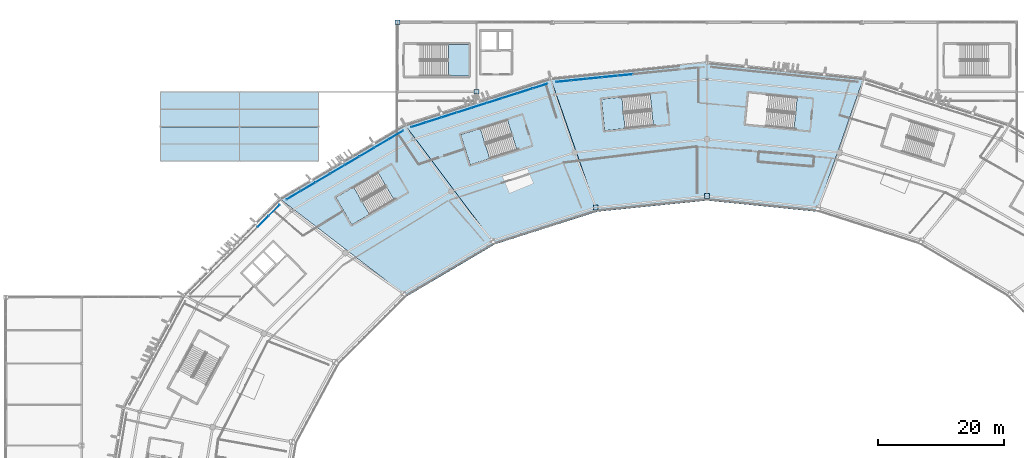
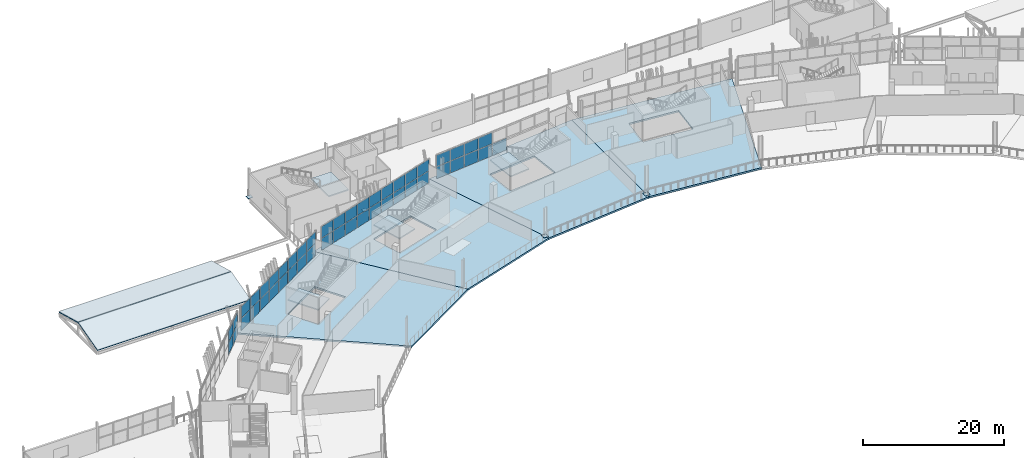
# One storey, part 100 of 179: 51 plates, 10 slabs, 9 elements without a shape of their own.
"""IFC4 building model written with IfcOpenShell, lengths in metres."""

from ifc_helpers import new_model, si_unit, direction, frame, origin, origin_2d, place, context, subcontext, project, spatial, polyline, rectangle, outline, extrude, material, layer, layer_set, type_object, element, aggregate, save


model = new_model("IFC4")

# Units and contexts
model_context = context("Model", 3, precision=1e-05, world=origin(), true_north=direction((0.0, 1.0)))
body_context = subcontext(model_context, "Body", "Model", "MODEL_VIEW")
ifc_project = project(units=[si_unit("LENGTHUNIT", "METRE"), si_unit("AREAUNIT", "SQUARE_METRE"), si_unit("VOLUMEUNIT", "CUBIC_METRE"), si_unit("PLANEANGLEUNIT", "RADIAN"), si_unit("MASSUNIT", "GRAM", prefix="KILO")], contexts=[model_context])

# Site, building, storey
site_placement = place(None, origin())
site = spatial("IfcSite", under=ifc_project, at=site_placement, CompositionType="ELEMENT")
building_placement = place(site_placement, origin())
building = spatial("IfcBuilding", under=site, at=building_placement, Name="Zlatoyarsky Gate Stadium", CompositionType="ELEMENT")
storey_placement = place(building_placement, frame((0.0, 0.0, 10.60009765625)))
storey = spatial("IfcBuildingStorey", under=building, at=storey_placement, Name="L02", CompositionType="ELEMENT", Elevation=10.60009765625)

# Curtain wall, plates
ifc_material_1 = material(Name="Thermally broken anodised aluminium curtain wall", Category="aluminium")
curtain_wall_type_1 = type_object("IfcCurtainWallType", Name="MONUMENTAL ARCHED GATE GLAZING UPPER", PredefinedType="USERDEFINED", material=ifc_material_1)
curtain_wall_1_placement = place(storey_placement, origin())
curtain_wall_1 = element("IfcCurtainWall", 1, at=curtain_wall_1_placement, inside=storey, type_object=curtain_wall_type_1, Name="Curtain wall CW-L02-06", ObjectType="ARCHED GATE GLAZING", PredefinedType="USERDEFINED")
ifc_material_2 = material(Name="Triple-glazed argon low-e architectural glass", Category="glass")
ifc_layer_1 = layer(ifc_material_2, 0.0458984375)
ifc_layer_set_1 = layer_set([ifc_layer_1], Name="Triple-glazed argon low-e architectural glass")
plate_type_1 = type_object("IfcPlateType", Name="ACOUSTIC LAMINATED GATE GLAZING PANEL 46", PredefinedType="CURTAIN_PANEL", material=ifc_layer_set_1)
plate_1_placement = place(storey_placement, frame((98.0380859375, 151.664794921875, 0.074951171875), z_axis=(0.0, 0.0, 1.0), x_axis=(-0.994922667712, -0.100642363208, 0.0)))
plate_1 = element("IfcPlate", 2, at=plate_1_placement, type_object=plate_type_1, Name="CW-AG2 panel 4.1", PredefinedType="CURTAIN_PANEL", context=body_context, shape_type="SweptSolid", body=[
    extrude(rectangle(XDim=2.3759765625, YDim=0.0458984375, at=origin_2d()), origin(), (0.0, 0.0, 1.0), 2.03759765625),
])
plate_2_placement = place(storey_placement, frame((95.599609375, 151.41796875, 0.074951171875), z_axis=(0.0, 0.0, 1.0), x_axis=(-0.994922667712, -0.100642363208, 0.0)))
plate_2 = element("IfcPlate", 3, at=plate_2_placement, type_object=plate_type_1, Name="CW-AG2 panel 5.1", PredefinedType="CURTAIN_PANEL", context=body_context, shape_type="SweptSolid", body=[
    extrude(rectangle(XDim=2.3759765625, YDim=0.0458984375, at=origin_2d()), origin(), (0.0, 0.0, 1.0), 2.03759765625),
])
plate_3_placement = place(storey_placement, frame((95.599609375, 151.41796875, 2.1875), z_axis=(0.0, 0.0, 1.0), x_axis=(-0.994922667712, -0.100642363208, 0.0)))
plate_3 = element("IfcPlate", 4, at=plate_3_placement, type_object=plate_type_1, Name="CW-AG2 panel 5.2", PredefinedType="CURTAIN_PANEL", context=body_context, shape_type="SweptSolid", body=[
    extrude(rectangle(XDim=2.3759765625, YDim=0.0458984375, at=origin_2d()), origin(), (0.0, 0.0, 1.0), 1.9375),
])
plate_4_placement = place(storey_placement, frame((93.1611328125, 151.17138671875, 0.074951171875), z_axis=(0.0, 0.0, 1.0), x_axis=(-0.994922667712, -0.100642363208, 0.0)))
plate_4 = element("IfcPlate", 5, at=plate_4_placement, type_object=plate_type_1, Name="CW-AG2 panel 6.1", PredefinedType="CURTAIN_PANEL", context=body_context, shape_type="SweptSolid", body=[
    extrude(rectangle(XDim=2.3759765625, YDim=0.0458984375, at=origin_2d()), origin(), (0.0, 0.0, 1.0), 2.03759765625),
])
plate_5_placement = place(storey_placement, frame((93.1611328125, 151.17138671875, 2.1875), z_axis=(0.0, 0.0, 1.0), x_axis=(-0.994922667712, -0.100642363208, 0.0)))
plate_5 = element("IfcPlate", 6, at=plate_5_placement, type_object=plate_type_1, Name="CW-AG2 panel 6.2", PredefinedType="CURTAIN_PANEL", context=body_context, shape_type="SweptSolid", body=[
    extrude(rectangle(XDim=2.3759765625, YDim=0.0458984375, at=origin_2d()), origin(), (0.0, 0.0, 1.0), 1.9375),
])
plate_6_placement = place(storey_placement, frame((90.72265625, 150.9248046875, 0.074951171875), z_axis=(0.0, 0.0, 1.0), x_axis=(-0.994922667712, -0.100642363208, 0.0)))
plate_6 = element("IfcPlate", 7, at=plate_6_placement, type_object=plate_type_1, Name="CW-AG2 panel 7.1", PredefinedType="CURTAIN_PANEL", context=body_context, shape_type="SweptSolid", body=[
    extrude(rectangle(XDim=2.3759765625, YDim=0.0458984375, at=origin_2d()), origin(), (0.0, 0.0, 1.0), 2.03759765625),
])
plate_7_placement = place(storey_placement, frame((90.72265625, 150.9248046875, 2.1875), z_axis=(0.0, 0.0, 1.0), x_axis=(-0.994922667712, -0.100642363208, 0.0)))
plate_7 = element("IfcPlate", 8, at=plate_7_placement, type_object=plate_type_1, Name="CW-AG2 panel 7.2", PredefinedType="CURTAIN_PANEL", context=body_context, shape_type="SweptSolid", body=[
    extrude(rectangle(XDim=2.3759765625, YDim=0.0458984375, at=origin_2d()), origin(), (0.0, 0.0, 1.0), 1.9375),
])
plate_8_placement = place(storey_placement, frame((88.302978515625, 150.679931640625, 0.074951171875), z_axis=(0.0, 0.0, 1.0), x_axis=(-0.994922667712, -0.100642363208, 0.0)))
plate_8 = element("IfcPlate", 9, at=plate_8_placement, type_object=plate_type_1, Name="CW-AG2 panel 8.1", PredefinedType="CURTAIN_PANEL", context=body_context, shape_type="SweptSolid", body=[
    extrude(rectangle(XDim=2.33837890625, YDim=0.0458984375, at=origin_2d()), origin(), (0.0, 0.0, 1.0), 2.03759765625),
])
plate_9_placement = place(storey_placement, frame((88.302978515625, 150.679931640625, 2.1875), z_axis=(0.0, 0.0, 1.0), x_axis=(-0.994922667712, -0.100642363208, 0.0)))
plate_9 = element("IfcPlate", 10, at=plate_9_placement, type_object=plate_type_1, Name="CW-AG2 panel 8.2", PredefinedType="CURTAIN_PANEL", context=body_context, shape_type="SweptSolid", body=[
    extrude(rectangle(XDim=2.33837890625, YDim=0.0458984375, at=origin_2d()), origin(), (0.0, 0.0, 1.0), 1.9375),
])
aggregate(curtain_wall_1, [plate_1, plate_2, plate_3, plate_4, plate_5, plate_6, plate_7, plate_8, plate_9])

# Roof, slabs
ifc_material_3 = material(Name="Standing-seam aluminium-zinc roofing with mineral wool insulation", Category="aluminium")
ifc_layer_2 = layer(ifc_material_3, 0.080078125)
ifc_layer_set_2 = layer_set([ifc_layer_2], Name="Standing-seam aluminium-zinc roofing with mineral wool insulation")
roof_type = type_object("IfcRoofType", Name="WINTER GARDEN PAVILION ROOF ASSEMBLY", PredefinedType="PAVILION_ROOF", material=ifc_layer_set_2)
roof_placement = place(storey_placement, origin())
roof = element("IfcRoof", 11, at=roof_placement, inside=storey, type_object=roof_type, Name="V6_NW pavilion roof", PredefinedType="PAVILION_ROOF")
ifc_material_4 = material(Name="Concrete C40/50", Category="concrete")
ifc_layer_3 = layer(ifc_material_4, 0.159912109375)
ifc_layer_set_3 = layer_set([ifc_layer_3], Name="Concrete C40/50")
slab_type_1 = type_object("IfcSlabType", Name="COMPOSITE PORTICO CANOPY SLAB 160", PredefinedType="ROOF", material=ifc_layer_set_3)
slab_1_placement = place(storey_placement, frame((24.5, 138.0, 0.0), z_axis=(0.0, -0.263080822719, 0.964773797694), x_axis=(1.0, 0.0, 0.0)))
slab_1 = element("IfcSlab", 12, at=slab_1_placement, type_object=slab_type_1, Name="V6_NW sloped roof slab 1", PredefinedType="ROOF", context=body_context, shape_type="SweptSolid", body=[
    extrude(outline(polyline([(0.0, 0.0), (25.0, 0.0), (25.0, 5.646917505320693), (0.0, 5.646917505320693), (0.0, 0.0)])), origin(), (0.0, 0.0, -1.0), 0.159912109375),
])
slab_2_placement = place(storey_placement, frame((49.5, 149.0, 0.0), z_axis=(0.0, 0.263080822719, 0.964773797694), x_axis=(-1.0, 0.0, 0.0)))
slab_2 = element("IfcSlab", 13, at=slab_2_placement, type_object=slab_type_1, Name="V6_NW sloped roof slab 2", PredefinedType="ROOF", context=body_context, shape_type="SweptSolid", body=[
    extrude(outline(polyline([(0.0, 0.0), (25.0, 0.0), (25.0, 5.646917505320693), (0.0, 5.646917505320693), (0.0, 0.0)])), origin(), (0.0, 0.0, -1.0), 0.159912109375),
])
aggregate(roof, [slab_1, slab_2])

# Slabs
ifc_layer_4 = layer(ifc_material_4, 0.280029296875)
ifc_layer_set_4 = layer_set([ifc_layer_4], Name="Concrete C40/50")
slab_type_2 = type_object("IfcSlabType", Name="CONCRETE HOSPITALITY SLAB 280", PredefinedType="FLOOR", material=ifc_layer_set_4)
slab_3_placement = place(storey_placement, frame((0.0, 0.0, -0.280029296875)))
element("IfcSlab", 14, at=slab_3_placement, inside=storey, type_object=slab_type_2, Name="L02 bowl sector 05 slab", PredefinedType="FLOOR", context=body_context, shape_type="SweptSolid", body=[
    extrude(outline(polyline([(111.0, 131.800048828125), (111.0, 153.67578125), (135.7626953125, 151.16552734375), (128.392578125, 130.034912109375), (111.0, 131.800048828125)]), holes=[polyline([(124.76953125, 143.115966796875), (125.26953125, 148.0908203125), (117.558349609375, 148.865966796875), (117.058349609375, 143.890869140625), (124.76953125, 143.115966796875)])]), origin(), (0.0, 0.0, 1.0), 0.280029296875),
])
slab_4_placement = place(storey_placement, frame((0.0, 0.0, -0.280029296875)))
element("IfcSlab", 15, at=slab_4_placement, inside=storey, type_object=slab_type_2, Name="L02 bowl sector 06 slab", PredefinedType="FLOOR", context=body_context, shape_type="SweptSolid", body=[
    extrude(outline(polyline([(93.607421875, 130.034912109375), (86.2373046875, 151.16552734375), (111.0, 153.67578125), (111.0, 131.800048828125), (93.607421875, 130.034912109375)]), holes=[polyline([(102.00390625, 148.620849609375), (94.292724609375, 147.845703125), (94.792724609375, 142.870849609375), (102.50390625, 143.64599609375), (102.00390625, 148.620849609375)])]), origin(), (0.0, 0.0, 1.0), 0.280029296875),
])
slab_5_placement = place(storey_placement, frame((0.0, 0.0, -0.280029296875)))
element("IfcSlab", 16, at=slab_5_placement, inside=storey, type_object=slab_type_2, Name="L02 bowl sector 07 slab", PredefinedType="FLOOR", context=body_context, shape_type="SweptSolid", body=[
    extrude(outline(polyline([(77.39990234375, 124.860107421875), (63.162109375, 143.80517578125), (86.2373046875, 151.16552734375), (93.607421875, 130.034912109375), (77.39990234375, 124.860107421875)]), holes=[polyline([(79.39990234375, 144.562255859375), (72.0107421875, 142.2255859375), (73.518310546875, 137.458251953125), (80.90771484375, 139.794921875), (79.39990234375, 144.562255859375)])]), origin(), (0.0, 0.0, 1.0), 0.280029296875),
])
slab_6_placement = place(storey_placement, frame((0.0, 0.0, -0.280029296875)))
element("IfcSlab", 17, at=slab_6_placement, inside=storey, type_object=slab_type_2, Name="L02 bowl sector 08 slab", PredefinedType="FLOOR", context=body_context, shape_type="SweptSolid", body=[
    extrude(outline(polyline([(63.482421875, 116.628173828125), (43.346923828125, 132.0966796875), (63.162109375, 143.80517578125), (77.39990234375, 124.860107421875), (63.482421875, 116.628173828125)]), holes=[polyline([(58.934326171875, 136.204345703125), (52.247314453125, 132.287109375), (54.774658203125, 127.972900390625), (61.461669921875, 131.89013671875), (58.934326171875, 136.204345703125)])]), origin(), (0.0, 0.0, 1.0), 0.280029296875),
])

# Stair, slab
stair_type = type_object("IfcStairType", Name="CONCRETE DOGLEG EXIT STAIR H5000", PredefinedType="TWO_STRAIGHT_RUN_STAIR", material=ifc_material_4)
stair_1_placement = place(storey_placement, origin())
stair_1 = element("IfcStair", 18, at=stair_1_placement, inside=storey, type_object=stair_type, Name="L02 Exit Stair ST-04", PredefinedType="TWO_STRAIGHT_RUN_STAIR")
ifc_layer_5 = layer(ifc_material_4, 0.199951171875)
ifc_layer_set_5 = layer_set([ifc_layer_5], Name="Concrete C40/50")
slab_type_3 = type_object("IfcSlabType", Name="CONCRETE STAIR LANDING SLAB 200", PredefinedType="LANDING", material=ifc_layer_set_5)
slab_7_placement = place(storey_placement, frame((0.0, 0.0, 2.2998046875)))
slab_7 = element("IfcSlab", 19, at=slab_7_placement, type_object=slab_type_3, Name="ST-DG50 landing 1", PredefinedType="LANDING", context=body_context, shape_type="SweptSolid", body=[
    extrude(outline(polyline([(97.5263671875, 148.170654296875), (94.292724609375, 147.845703125), (94.792724609375, 142.870849609375), (98.0263671875, 143.19580078125), (97.5263671875, 148.170654296875)])), origin(), (0.0, 0.0, 1.0), 0.2001953125),
])
aggregate(stair_1, [slab_7])

stair_2_placement = place(storey_placement, origin())
stair_2 = element("IfcStair", 20, at=stair_2_placement, inside=storey, type_object=stair_type, Name="L02 Exit Stair ST-05", PredefinedType="TWO_STRAIGHT_RUN_STAIR")
slab_8_placement = place(storey_placement, frame((0.0, 0.0, 2.2998046875)))
slab_8 = element("IfcSlab", 21, at=slab_8_placement, type_object=slab_type_3, Name="ST-DG50 landing 1", PredefinedType="LANDING", context=body_context, shape_type="SweptSolid", body=[
    extrude(outline(polyline([(55.051513671875, 133.929931640625), (52.247314453125, 132.287109375), (54.774658203125, 127.972900390625), (57.578857421875, 129.615478515625), (55.051513671875, 133.929931640625)])), origin(), (0.0, 0.0, 1.0), 0.2001953125),
])
aggregate(stair_2, [slab_8])

stair_3_placement = place(storey_placement, origin())
stair_3 = element("IfcStair", 22, at=stair_3_placement, inside=storey, type_object=stair_type, Name="L02 Exit Stair ST-14", PredefinedType="TWO_STRAIGHT_RUN_STAIR")
slab_9_placement = place(storey_placement, frame((0.0, 0.0, 2.2998046875)))
slab_9 = element("IfcSlab", 23, at=slab_9_placement, type_object=slab_type_3, Name="ST-DG50 landing 1", PredefinedType="LANDING", context=body_context, shape_type="SweptSolid", body=[
    extrude(outline(polyline([(75.109375, 143.205322265625), (72.0107421875, 142.2255859375), (73.518310546875, 137.458251953125), (76.616943359375, 138.43798828125), (75.109375, 143.205322265625)])), origin(), (0.0, 0.0, 1.0), 0.2001953125),
])
aggregate(stair_3, [slab_9])

stair_4_placement = place(storey_placement, origin())
stair_4 = element("IfcStair", 24, at=stair_4_placement, inside=storey, type_object=stair_type, Name="L02 Exit Stair ST-31", PredefinedType="TWO_STRAIGHT_RUN_STAIR")
slab_10_placement = place(storey_placement, frame((0.0, 0.0, 2.2998046875)))
slab_10 = element("IfcSlab", 25, at=slab_10_placement, type_object=slab_type_3, Name="ST-DG50 landing 1", PredefinedType="LANDING", context=body_context, shape_type="SweptSolid", body=[
    extrude(outline(polyline([(70.050048828125, 151.5), (73.300048828125, 151.5), (73.300048828125, 156.5), (70.050048828125, 156.5), (70.050048828125, 151.5)])), origin(), (0.0, 0.0, 1.0), 0.2001953125),
])
aggregate(stair_4, [slab_10])

# Plates
ifc_material_5 = material(Name="Steel S355", Category="steel")
ifc_layer_6 = layer(ifc_material_5, 0.0400390625)
ifc_layer_set_6 = layer_set([ifc_layer_6], Name="Steel S355")
plate_type_2 = type_object("IfcPlateType", Name="STEEL COLUMN BASE PLATE 40", PredefinedType="USERDEFINED", material=ifc_layer_set_6)
for number, where, z_axis, x_axis, name in (
    (26, (111.0, 132.5, 0.0), (0.0, 0.0, 1.0), (1.0, 0.0, 0.0), "Column base plate BP-01 at RA-06 L02"),
    (27, (93.400390625, 130.711181640625, 0.0), (0.0, 0.0, 1.0), (1.0, 0.0, 0.0), "Column base plate BP-01 at RA-07 L02"),
    (28, (62.0, 160.0, 0.0), (0.0, 0.0, 1.0), (1.0, 0.0, 0.0), "Column base plate BP-01 at WG-6-Q L02"),
    (29, (74.5, 149.0, 0.0), (0.0, 0.0, 1.0), (1.0, 0.0, 0.0), "Column base plate BP-01 at WG-7-P L02"),
):
    element("IfcPlate", number, at=place(storey_placement, frame(where, z_axis=z_axis, x_axis=x_axis)), inside=storey, type_object=plate_type_2, Name=name, ObjectType="BASE PLATE", PredefinedType="USERDEFINED", context=body_context, shape_type="SweptSolid", body=[
        extrude(rectangle(XDim=0.75, YDim=0.75, at=origin_2d()), origin(), (0.0, 0.0, 1.0), 0.0400390625),
    ])

# Curtain wall, plates
curtain_wall_type_2 = type_object("IfcCurtainWallType", Name="UNITISED HOSPITALITY GLAZING L02", PredefinedType="USERDEFINED", material=ifc_material_1)
curtain_wall_2_placement = place(storey_placement, origin())
curtain_wall_2 = element("IfcCurtainWall", 30, at=curtain_wall_2_placement, inside=storey, type_object=curtain_wall_type_2, Name="Curtain wall CW-L02-07", ObjectType="UNITISED GLAZING", PredefinedType="USERDEFINED")
ifc_layer_7 = layer(ifc_material_2, 0.0380859375)
ifc_layer_set_7 = layer_set([ifc_layer_7], Name="Triple-glazed argon low-e architectural glass")
plate_type_3 = type_object("IfcPlateType", Name="TRIPLE GLAZED LOW E CURTAIN PANEL 38", PredefinedType="CURTAIN_PANEL", material=ifc_layer_set_7)
plate_10_placement = place(storey_placement, frame((84.579833984375, 149.904052734375, 0.06494140625), z_axis=(0.0, 0.0, 1.0), x_axis=(-0.952901692031, -0.30327935196, 0.0)))
plate_10 = element("IfcPlate", 31, at=plate_10_placement, type_object=plate_type_3, Name="CW-UG2 panel 1.1", PredefinedType="CURTAIN_PANEL", context=body_context, shape_type="SweptSolid", body=[
    extrude(rectangle(XDim=2.428955078125, YDim=0.0380859375, at=origin_2d()), origin(), (0.0, 0.0, 1.0), 2.052490234375),
])
plate_11_placement = place(storey_placement, frame((84.579833984375, 149.904052734375, 2.1826171875), z_axis=(0.0, 0.0, 1.0), x_axis=(-0.952901692031, -0.30327935196, 0.0)))
plate_11 = element("IfcPlate", 32, at=plate_11_placement, type_object=plate_type_3, Name="CW-UG2 panel 1.2", PredefinedType="CURTAIN_PANEL", context=body_context, shape_type="SweptSolid", body=[
    extrude(rectangle(XDim=2.428955078125, YDim=0.0380859375, at=origin_2d()), origin(), (0.0, 0.0, 1.0), 1.952392578125),
])
plate_12_placement = place(storey_placement, frame((82.187744140625, 149.142822265625, 0.06494140625), z_axis=(0.0, 0.0, 1.0), x_axis=(-0.952901692031, -0.30327935196, 0.0)))
plate_12 = element("IfcPlate", 33, at=plate_12_placement, type_object=plate_type_3, Name="CW-UG2 panel 2.1", PredefinedType="CURTAIN_PANEL", context=body_context, shape_type="SweptSolid", body=[
    extrude(rectangle(XDim=2.46142578125, YDim=0.0380859375, at=origin_2d()), origin(), (0.0, 0.0, 1.0), 2.052490234375),
])
plate_13_placement = place(storey_placement, frame((82.187744140625, 149.142822265625, 2.1826171875), z_axis=(0.0, 0.0, 1.0), x_axis=(-0.952901692031, -0.30327935196, 0.0)))
plate_13 = element("IfcPlate", 34, at=plate_13_placement, type_object=plate_type_3, Name="CW-UG2 panel 2.2", PredefinedType="CURTAIN_PANEL", context=body_context, shape_type="SweptSolid", body=[
    extrude(rectangle(XDim=2.46142578125, YDim=0.0380859375, at=origin_2d()), origin(), (0.0, 0.0, 1.0), 1.952392578125),
])
plate_14_placement = place(storey_placement, frame((79.7802734375, 148.376708984375, 0.06494140625), z_axis=(0.0, 0.0, 1.0), x_axis=(-0.952901692031, -0.30327935196, 0.0)))
plate_14 = element("IfcPlate", 35, at=plate_14_placement, type_object=plate_type_3, Name="CW-UG2 panel 3.1", PredefinedType="CURTAIN_PANEL", context=body_context, shape_type="SweptSolid", body=[
    extrude(rectangle(XDim=2.46142578125, YDim=0.0380859375, at=origin_2d()), origin(), (0.0, 0.0, 1.0), 2.052490234375),
])
plate_15_placement = place(storey_placement, frame((79.7802734375, 148.376708984375, 2.1826171875), z_axis=(0.0, 0.0, 1.0), x_axis=(-0.952901692031, -0.30327935196, 0.0)))
plate_15 = element("IfcPlate", 36, at=plate_15_placement, type_object=plate_type_3, Name="CW-UG2 panel 3.2", PredefinedType="CURTAIN_PANEL", context=body_context, shape_type="SweptSolid", body=[
    extrude(rectangle(XDim=2.46142578125, YDim=0.0380859375, at=origin_2d()), origin(), (0.0, 0.0, 1.0), 1.952392578125),
])
plate_16_placement = place(storey_placement, frame((77.372802734375, 147.6103515625, 0.06494140625), z_axis=(0.0, 0.0, 1.0), x_axis=(-0.952901692031, -0.30327935196, 0.0)))
plate_16 = element("IfcPlate", 37, at=plate_16_placement, type_object=plate_type_3, Name="CW-UG2 panel 4.1", PredefinedType="CURTAIN_PANEL", context=body_context, shape_type="SweptSolid", body=[
    extrude(rectangle(XDim=2.46142578125, YDim=0.0380859375, at=origin_2d()), origin(), (0.0, 0.0, 1.0), 2.052490234375),
])
plate_17_placement = place(storey_placement, frame((77.372802734375, 147.6103515625, 2.1826171875), z_axis=(0.0, 0.0, 1.0), x_axis=(-0.952901692031, -0.30327935196, 0.0)))
plate_17 = element("IfcPlate", 38, at=plate_17_placement, type_object=plate_type_3, Name="CW-UG2 panel 4.2", PredefinedType="CURTAIN_PANEL", context=body_context, shape_type="SweptSolid", body=[
    extrude(rectangle(XDim=2.46142578125, YDim=0.0380859375, at=origin_2d()), origin(), (0.0, 0.0, 1.0), 1.952392578125),
])
plate_18_placement = place(storey_placement, frame((74.96533203125, 146.84423828125, 0.06494140625), z_axis=(0.0, 0.0, 1.0), x_axis=(-0.952901692031, -0.30327935196, 0.0)))
plate_18 = element("IfcPlate", 39, at=plate_18_placement, type_object=plate_type_3, Name="CW-UG2 panel 5.1", PredefinedType="CURTAIN_PANEL", context=body_context, shape_type="SweptSolid", body=[
    extrude(rectangle(XDim=2.46142578125, YDim=0.0380859375, at=origin_2d()), origin(), (0.0, 0.0, 1.0), 2.052490234375),
])
plate_19_placement = place(storey_placement, frame((74.96533203125, 146.84423828125, 2.1826171875), z_axis=(0.0, 0.0, 1.0), x_axis=(-0.952901692031, -0.30327935196, 0.0)))
plate_19 = element("IfcPlate", 40, at=plate_19_placement, type_object=plate_type_3, Name="CW-UG2 panel 5.2", PredefinedType="CURTAIN_PANEL", context=body_context, shape_type="SweptSolid", body=[
    extrude(rectangle(XDim=2.46142578125, YDim=0.0380859375, at=origin_2d()), origin(), (0.0, 0.0, 1.0), 1.952392578125),
])
plate_20_placement = place(storey_placement, frame((72.557861328125, 146.077880859375, 0.06494140625), z_axis=(0.0, 0.0, 1.0), x_axis=(-0.952901692031, -0.30327935196, 0.0)))
plate_20 = element("IfcPlate", 41, at=plate_20_placement, type_object=plate_type_3, Name="CW-UG2 panel 6.1", PredefinedType="CURTAIN_PANEL", context=body_context, shape_type="SweptSolid", body=[
    extrude(rectangle(XDim=2.46142578125, YDim=0.0380859375, at=origin_2d()), origin(), (0.0, 0.0, 1.0), 2.052490234375),
])
plate_21_placement = place(storey_placement, frame((72.557861328125, 146.077880859375, 2.1826171875), z_axis=(0.0, 0.0, 1.0), x_axis=(-0.952901692031, -0.30327935196, 0.0)))
plate_21 = element("IfcPlate", 42, at=plate_21_placement, type_object=plate_type_3, Name="CW-UG2 panel 6.2", PredefinedType="CURTAIN_PANEL", context=body_context, shape_type="SweptSolid", body=[
    extrude(rectangle(XDim=2.46142578125, YDim=0.0380859375, at=origin_2d()), origin(), (0.0, 0.0, 1.0), 1.952392578125),
])
plate_22_placement = place(storey_placement, frame((70.150146484375, 145.311767578125, 0.06494140625), z_axis=(0.0, 0.0, 1.0), x_axis=(-0.952901692031, -0.30327935196, 0.0)))
plate_22 = element("IfcPlate", 43, at=plate_22_placement, type_object=plate_type_3, Name="CW-UG2 panel 7.1", PredefinedType="CURTAIN_PANEL", context=body_context, shape_type="SweptSolid", body=[
    extrude(rectangle(XDim=2.46142578125, YDim=0.0380859375, at=origin_2d()), origin(), (0.0, 0.0, 1.0), 2.052490234375),
])
plate_23_placement = place(storey_placement, frame((70.150146484375, 145.311767578125, 2.1826171875), z_axis=(0.0, 0.0, 1.0), x_axis=(-0.952901692031, -0.30327935196, 0.0)))
plate_23 = element("IfcPlate", 44, at=plate_23_placement, type_object=plate_type_3, Name="CW-UG2 panel 7.2", PredefinedType="CURTAIN_PANEL", context=body_context, shape_type="SweptSolid", body=[
    extrude(rectangle(XDim=2.46142578125, YDim=0.0380859375, at=origin_2d()), origin(), (0.0, 0.0, 1.0), 1.952392578125),
])
plate_24_placement = place(storey_placement, frame((67.74267578125, 144.54541015625, 0.06494140625), z_axis=(0.0, 0.0, 1.0), x_axis=(-0.952901692031, -0.30327935196, 0.0)))
plate_24 = element("IfcPlate", 45, at=plate_24_placement, type_object=plate_type_3, Name="CW-UG2 panel 8.1", PredefinedType="CURTAIN_PANEL", context=body_context, shape_type="SweptSolid", body=[
    extrude(rectangle(XDim=2.46142578125, YDim=0.0380859375, at=origin_2d()), origin(), (0.0, 0.0, 1.0), 2.052490234375),
])
plate_25_placement = place(storey_placement, frame((67.74267578125, 144.54541015625, 2.1826171875), z_axis=(0.0, 0.0, 1.0), x_axis=(-0.952901692031, -0.30327935196, 0.0)))
plate_25 = element("IfcPlate", 46, at=plate_25_placement, type_object=plate_type_3, Name="CW-UG2 panel 8.2", PredefinedType="CURTAIN_PANEL", context=body_context, shape_type="SweptSolid", body=[
    extrude(rectangle(XDim=2.46142578125, YDim=0.0380859375, at=origin_2d()), origin(), (0.0, 0.0, 1.0), 1.952392578125),
])
plate_26_placement = place(storey_placement, frame((65.350830078125, 143.7841796875, 0.06494140625), z_axis=(0.0, 0.0, 1.0), x_axis=(-0.952901692031, -0.30327935196, 0.0)))
plate_26 = element("IfcPlate", 47, at=plate_26_placement, type_object=plate_type_3, Name="CW-UG2 panel 9.1", PredefinedType="CURTAIN_PANEL", context=body_context, shape_type="SweptSolid", body=[
    extrude(rectangle(XDim=2.428955078125, YDim=0.0380859375, at=origin_2d()), origin(), (0.0, 0.0, 1.0), 2.052490234375),
])
plate_27_placement = place(storey_placement, frame((65.350830078125, 143.7841796875, 2.1826171875), z_axis=(0.0, 0.0, 1.0), x_axis=(-0.952901692031, -0.30327935196, 0.0)))
plate_27 = element("IfcPlate", 48, at=plate_27_placement, type_object=plate_type_3, Name="CW-UG2 panel 9.2", PredefinedType="CURTAIN_PANEL", context=body_context, shape_type="SweptSolid", body=[
    extrude(rectangle(XDim=2.428955078125, YDim=0.0380859375, at=origin_2d()), origin(), (0.0, 0.0, 1.0), 1.952392578125),
])
aggregate(curtain_wall_2, [plate_10, plate_11, plate_12, plate_13, plate_14, plate_15, plate_16, plate_17, plate_18, plate_19, plate_20, plate_21, plate_22, plate_23, plate_24, plate_25, plate_26, plate_27])

curtain_wall_3_placement = place(storey_placement, origin())
curtain_wall_3 = element("IfcCurtainWall", 49, at=curtain_wall_3_placement, inside=storey, type_object=curtain_wall_type_2, Name="Curtain wall CW-L02-08", ObjectType="UNITISED GLAZING", PredefinedType="USERDEFINED")
plate_28_placement = place(storey_placement, frame((61.77880859375, 142.177001953125, 0.06494140625), z_axis=(0.0, 0.0, 1.0), x_axis=(-0.861426437626, -0.507882360945, 0.0)))
plate_28 = element("IfcPlate", 50, at=plate_28_placement, type_object=plate_type_3, Name="CW-UG2 panel 1.1", PredefinedType="CURTAIN_PANEL", context=body_context, shape_type="SweptSolid", body=[
    extrude(rectangle(XDim=2.59423828125, YDim=0.0380859375, at=origin_2d()), origin(), (0.0, 0.0, 1.0), 2.052490234375),
])
plate_29_placement = place(storey_placement, frame((61.77880859375, 142.177001953125, 2.1826171875), z_axis=(0.0, 0.0, 1.0), x_axis=(-0.861426437626, -0.507882360945, 0.0)))
plate_29 = element("IfcPlate", 51, at=plate_29_placement, type_object=plate_type_3, Name="CW-UG2 panel 1.2", PredefinedType="CURTAIN_PANEL", context=body_context, shape_type="SweptSolid", body=[
    extrude(rectangle(XDim=2.59423828125, YDim=0.0380859375, at=origin_2d()), origin(), (0.0, 0.0, 1.0), 1.952392578125),
])
plate_30_placement = place(storey_placement, frame((59.47412109375, 140.818115234375, 0.06494140625), z_axis=(0.0, 0.0, 1.0), x_axis=(-0.861426437626, -0.507882360945, 0.0)))
plate_30 = element("IfcPlate", 52, at=plate_30_placement, type_object=plate_type_3, Name="CW-UG2 panel 2.1", PredefinedType="CURTAIN_PANEL", context=body_context, shape_type="SweptSolid", body=[
    extrude(rectangle(XDim=2.626708984375, YDim=0.0380859375, at=origin_2d()), origin(), (0.0, 0.0, 1.0), 2.052490234375),
])
plate_31_placement = place(storey_placement, frame((59.47412109375, 140.818115234375, 2.1826171875), z_axis=(0.0, 0.0, 1.0), x_axis=(-0.861426437626, -0.507882360945, 0.0)))
plate_31 = element("IfcPlate", 53, at=plate_31_placement, type_object=plate_type_3, Name="CW-UG2 panel 2.2", PredefinedType="CURTAIN_PANEL", context=body_context, shape_type="SweptSolid", body=[
    extrude(rectangle(XDim=2.626708984375, YDim=0.0380859375, at=origin_2d()), origin(), (0.0, 0.0, 1.0), 1.952392578125),
])
plate_32_placement = place(storey_placement, frame((57.1552734375, 139.451171875, 0.06494140625), z_axis=(0.0, 0.0, 1.0), x_axis=(-0.861426437626, -0.507882360945, 0.0)))
plate_32 = element("IfcPlate", 54, at=plate_32_placement, type_object=plate_type_3, Name="CW-UG2 panel 3.1", PredefinedType="CURTAIN_PANEL", context=body_context, shape_type="SweptSolid", body=[
    extrude(rectangle(XDim=2.626708984375, YDim=0.0380859375, at=origin_2d()), origin(), (0.0, 0.0, 1.0), 2.052490234375),
])
plate_33_placement = place(storey_placement, frame((57.1552734375, 139.451171875, 2.1826171875), z_axis=(0.0, 0.0, 1.0), x_axis=(-0.861426437626, -0.507882360945, 0.0)))
plate_33 = element("IfcPlate", 55, at=plate_33_placement, type_object=plate_type_3, Name="CW-UG2 panel 3.2", PredefinedType="CURTAIN_PANEL", context=body_context, shape_type="SweptSolid", body=[
    extrude(rectangle(XDim=2.626708984375, YDim=0.0380859375, at=origin_2d()), origin(), (0.0, 0.0, 1.0), 1.952392578125),
])
plate_34_placement = place(storey_placement, frame((54.83642578125, 138.083984375, 0.06494140625), z_axis=(0.0, 0.0, 1.0), x_axis=(-0.861426437626, -0.507882360945, 0.0)))
plate_34 = element("IfcPlate", 56, at=plate_34_placement, type_object=plate_type_3, Name="CW-UG2 panel 4.1", PredefinedType="CURTAIN_PANEL", context=body_context, shape_type="SweptSolid", body=[
    extrude(rectangle(XDim=2.626708984375, YDim=0.0380859375, at=origin_2d()), origin(), (0.0, 0.0, 1.0), 2.052490234375),
])
plate_35_placement = place(storey_placement, frame((54.83642578125, 138.083984375, 2.1826171875), z_axis=(0.0, 0.0, 1.0), x_axis=(-0.861426437626, -0.507882360945, 0.0)))
plate_35 = element("IfcPlate", 57, at=plate_35_placement, type_object=plate_type_3, Name="CW-UG2 panel 4.2", PredefinedType="CURTAIN_PANEL", context=body_context, shape_type="SweptSolid", body=[
    extrude(rectangle(XDim=2.626708984375, YDim=0.0380859375, at=origin_2d()), origin(), (0.0, 0.0, 1.0), 1.952392578125),
])
plate_36_placement = place(storey_placement, frame((52.517578125, 136.716796875, 0.06494140625), z_axis=(0.0, 0.0, 1.0), x_axis=(-0.861426437626, -0.507882360945, 0.0)))
plate_36 = element("IfcPlate", 58, at=plate_36_placement, type_object=plate_type_3, Name="CW-UG2 panel 5.1", PredefinedType="CURTAIN_PANEL", context=body_context, shape_type="SweptSolid", body=[
    extrude(rectangle(XDim=2.626708984375, YDim=0.0380859375, at=origin_2d()), origin(), (0.0, 0.0, 1.0), 2.052490234375),
])
plate_37_placement = place(storey_placement, frame((52.517578125, 136.716796875, 2.1826171875), z_axis=(0.0, 0.0, 1.0), x_axis=(-0.861426437626, -0.507882360945, 0.0)))
plate_37 = element("IfcPlate", 59, at=plate_37_placement, type_object=plate_type_3, Name="CW-UG2 panel 5.2", PredefinedType="CURTAIN_PANEL", context=body_context, shape_type="SweptSolid", body=[
    extrude(rectangle(XDim=2.626708984375, YDim=0.0380859375, at=origin_2d()), origin(), (0.0, 0.0, 1.0), 1.952392578125),
])
plate_38_placement = place(storey_placement, frame((50.19873046875, 135.349609375, 0.06494140625), z_axis=(0.0, 0.0, 1.0), x_axis=(-0.861426437626, -0.507882360945, 0.0)))
plate_38 = element("IfcPlate", 60, at=plate_38_placement, type_object=plate_type_3, Name="CW-UG2 panel 6.1", PredefinedType="CURTAIN_PANEL", context=body_context, shape_type="SweptSolid", body=[
    extrude(rectangle(XDim=2.626708984375, YDim=0.0380859375, at=origin_2d()), origin(), (0.0, 0.0, 1.0), 2.052490234375),
])
plate_39_placement = place(storey_placement, frame((50.19873046875, 135.349609375, 2.1826171875), z_axis=(0.0, 0.0, 1.0), x_axis=(-0.861426437626, -0.507882360945, 0.0)))
plate_39 = element("IfcPlate", 61, at=plate_39_placement, type_object=plate_type_3, Name="CW-UG2 panel 6.2", PredefinedType="CURTAIN_PANEL", context=body_context, shape_type="SweptSolid", body=[
    extrude(rectangle(XDim=2.626708984375, YDim=0.0380859375, at=origin_2d()), origin(), (0.0, 0.0, 1.0), 1.952392578125),
])
plate_40_placement = place(storey_placement, frame((47.8798828125, 133.982666015625, 0.06494140625), z_axis=(0.0, 0.0, 1.0), x_axis=(-0.861426437626, -0.507882360945, 0.0)))
plate_40 = element("IfcPlate", 62, at=plate_40_placement, type_object=plate_type_3, Name="CW-UG2 panel 7.1", PredefinedType="CURTAIN_PANEL", context=body_context, shape_type="SweptSolid", body=[
    extrude(rectangle(XDim=2.626708984375, YDim=0.0380859375, at=origin_2d()), origin(), (0.0, 0.0, 1.0), 2.052490234375),
])
plate_41_placement = place(storey_placement, frame((47.8798828125, 133.982666015625, 2.1826171875), z_axis=(0.0, 0.0, 1.0), x_axis=(-0.861426437626, -0.507882360945, 0.0)))
plate_41 = element("IfcPlate", 63, at=plate_41_placement, type_object=plate_type_3, Name="CW-UG2 panel 7.2", PredefinedType="CURTAIN_PANEL", context=body_context, shape_type="SweptSolid", body=[
    extrude(rectangle(XDim=2.626708984375, YDim=0.0380859375, at=origin_2d()), origin(), (0.0, 0.0, 1.0), 1.952392578125),
])
plate_42_placement = place(storey_placement, frame((45.5751953125, 132.623779296875, 0.06494140625), z_axis=(0.0, 0.0, 1.0), x_axis=(-0.861426437626, -0.507882360945, 0.0)))
plate_42 = element("IfcPlate", 64, at=plate_42_placement, type_object=plate_type_3, Name="CW-UG2 panel 8.1", PredefinedType="CURTAIN_PANEL", context=body_context, shape_type="SweptSolid", body=[
    extrude(rectangle(XDim=2.59423828125, YDim=0.0380859375, at=origin_2d()), origin(), (0.0, 0.0, 1.0), 2.052490234375),
])
plate_43_placement = place(storey_placement, frame((45.5751953125, 132.623779296875, 2.1826171875), z_axis=(0.0, 0.0, 1.0), x_axis=(-0.861426437626, -0.507882360945, 0.0)))
plate_43 = element("IfcPlate", 65, at=plate_43_placement, type_object=plate_type_3, Name="CW-UG2 panel 8.2", PredefinedType="CURTAIN_PANEL", context=body_context, shape_type="SweptSolid", body=[
    extrude(rectangle(XDim=2.59423828125, YDim=0.0380859375, at=origin_2d()), origin(), (0.0, 0.0, 1.0), 1.952392578125),
])
aggregate(curtain_wall_3, [plate_28, plate_29, plate_30, plate_31, plate_32, plate_33, plate_34, plate_35, plate_36, plate_37, plate_38, plate_39, plate_40, plate_41, plate_42, plate_43])

curtain_wall_4_placement = place(storey_placement, origin())
curtain_wall_4 = element("IfcCurtainWall", 66, at=curtain_wall_4_placement, inside=storey, type_object=curtain_wall_type_2, Name="Curtain wall CW-L02-09", ObjectType="UNITISED GLAZING", PredefinedType="USERDEFINED")
plate_44_placement = place(storey_placement, frame((42.485107421875, 130.2431640625, 0.06494140625), z_axis=(0.0, 0.0, 1.0), x_axis=(-0.706625557031, -0.707587678066, 0.0)))
plate_44 = element("IfcPlate", 67, at=plate_44_placement, type_object=plate_type_3, Name="CW-UG2 panel 1.1", PredefinedType="CURTAIN_PANEL", context=body_context, shape_type="SweptSolid", body=[
    extrude(rectangle(XDim=2.409912109375, YDim=0.0380859375, at=origin_2d()), origin(), (0.0, 0.0, 1.0), 2.052490234375),
])
plate_45_placement = place(storey_placement, frame((42.485107421875, 130.2431640625, 2.1826171875), z_axis=(0.0, 0.0, 1.0), x_axis=(-0.706625557031, -0.707587678066, 0.0)))
plate_45 = element("IfcPlate", 68, at=plate_45_placement, type_object=plate_type_3, Name="CW-UG2 panel 1.2", PredefinedType="CURTAIN_PANEL", context=body_context, shape_type="SweptSolid", body=[
    extrude(rectangle(XDim=2.409912109375, YDim=0.0380859375, at=origin_2d()), origin(), (0.0, 0.0, 1.0), 1.952392578125),
])
plate_46_placement = place(storey_placement, frame((40.724853515625, 128.48046875, 0.06494140625), z_axis=(0.0, 0.0, 1.0), x_axis=(-0.706625557031, -0.707587678066, 0.0)))
plate_46 = element("IfcPlate", 69, at=plate_46_placement, type_object=plate_type_3, Name="CW-UG2 panel 2.1", PredefinedType="CURTAIN_PANEL", context=body_context, shape_type="SweptSolid", body=[
    extrude(rectangle(XDim=2.4423828125, YDim=0.0380859375, at=origin_2d()), origin(), (0.0, 0.0, 1.0), 2.052490234375),
])
plate_47_placement = place(storey_placement, frame((40.724853515625, 128.48046875, 2.1826171875), z_axis=(0.0, 0.0, 1.0), x_axis=(-0.706625557031, -0.707587678066, 0.0)))
plate_47 = element("IfcPlate", 70, at=plate_47_placement, type_object=plate_type_3, Name="CW-UG2 panel 2.2", PredefinedType="CURTAIN_PANEL", context=body_context, shape_type="SweptSolid", body=[
    extrude(rectangle(XDim=2.4423828125, YDim=0.0380859375, at=origin_2d()), origin(), (0.0, 0.0, 1.0), 1.952392578125),
])
aggregate(curtain_wall_4, [plate_44, plate_45, plate_46, plate_47])

save(model, "model.ifc")
